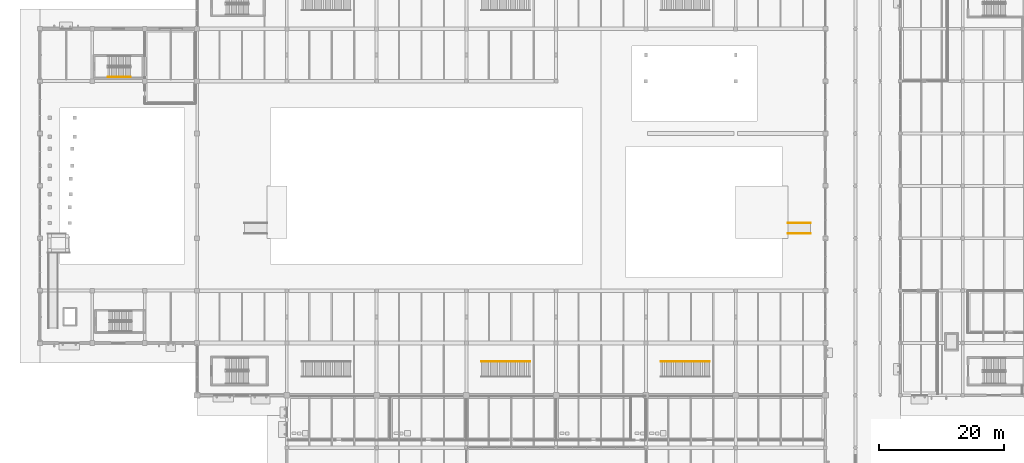
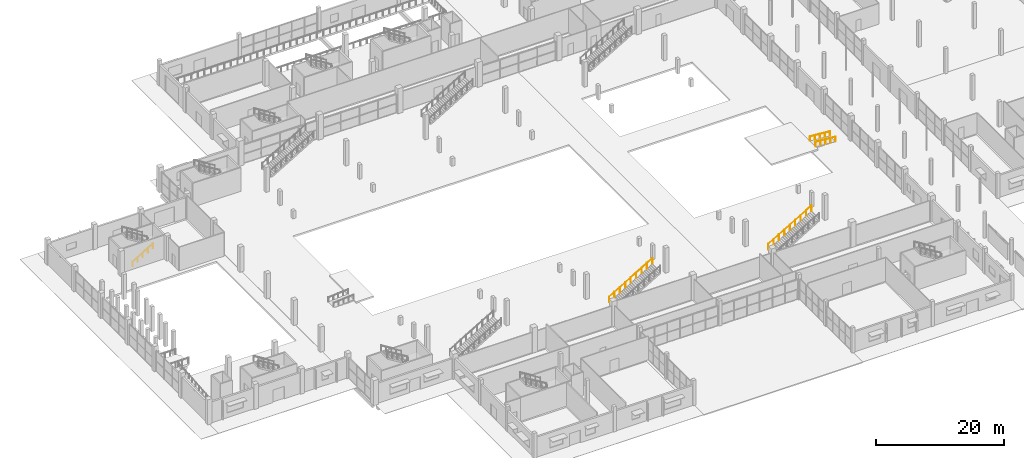
# One storey, part 116 of 130: 5 railings.
"""IFC4 building model written with IfcOpenShell, lengths in metres."""

from ifc_helpers import new_model, si_unit, direction, frame, origin, origin_2d, place, context, subcontext, project, spatial, circle, extrude, material, type_object, element, save


model = new_model("IFC4")

# Units and contexts
model_context = context("Model", 3, precision=1e-05, world=origin(), true_north=direction((0.0, 1.0)))
body_context = subcontext(model_context, "Body", "Model", "MODEL_VIEW")
ifc_project = project(units=[si_unit("LENGTHUNIT", "METRE"), si_unit("AREAUNIT", "SQUARE_METRE"), si_unit("VOLUMEUNIT", "CUBIC_METRE"), si_unit("PLANEANGLEUNIT", "RADIAN"), si_unit("MASSUNIT", "GRAM", prefix="KILO"), si_unit("THERMODYNAMICTEMPERATUREUNIT", "KELVIN")], contexts=[model_context])

# Site, building, storey
site_placement = place(None, origin())
site = spatial("IfcSite", under=ifc_project, at=site_placement, CompositionType="ELEMENT")
building_placement = place(site_placement, origin())
building = spatial("IfcBuilding", under=site, at=building_placement, Name="Nduvali Passage Aquatics Centre", CompositionType="ELEMENT")
storey_placement = place(building_placement, origin())
storey = spatial("IfcBuildingStorey", under=building, at=storey_placement, Name="L00", CompositionType="ELEMENT", Elevation=0.0)

# Railings
ifc_material = material(Name="Stainless steel balustrade", Category="steel")
railing_type_1 = type_object("IfcRailingType", Name="INT-RLG-GRD110", PredefinedType="GUARDRAIL", material=ifc_material)
for number, where, name in (
    (1, (70.800048828125, 30.614990234375, 0.17138671875), "Vomitory VST2 Guardrail 2"),
    (2, (99.60009765625, 30.614990234375, 0.17138671875), "Vomitory VST3 Guardrail 2"),
):
    element("IfcRailing", number, at=place(storey_placement, frame(where)), inside=storey, type_object=railing_type_1, Name=name, PredefinedType="GUARDRAIL", context=body_context, shape_type="SweptSolid", body=[
        extrude(circle(Radius=0.02392578125, at=origin_2d()), frame((0.0, 0.0, 1.076171875), z_axis=(0.860833000102, 0.0, 0.508887557261), x_axis=(0.0, 1.0, 0.0)), (0.0, 0.0, 1.0), 9.095703125),
        extrude(circle(Radius=0.02099609375, at=origin_2d()), origin(), (0.0, 0.0, 1.0), 1.052001953125),
        extrude(circle(Radius=0.02099609375, at=origin_2d()), frame((0.978759765625, 0.0, 0.57861328125)), (0.0, 0.0, 1.0), 1.052001953125),
        extrude(circle(Radius=0.02099609375, at=origin_2d()), frame((1.95751953125, 0.0, 1.1572265625)), (0.0, 0.0, 1.0), 1.052001953125),
        extrude(circle(Radius=0.02099609375, at=origin_2d()), frame((2.936279296875, 0.0, 1.73583984375)), (0.0, 0.0, 1.0), 1.052001953125),
        extrude(circle(Radius=0.02099609375, at=origin_2d()), frame((3.9150390625, 0.0, 2.314453125)), (0.0, 0.0, 1.0), 1.052001953125),
        extrude(circle(Radius=0.02099609375, at=origin_2d()), frame((4.8935546875, 0.0, 2.892822265625)), (0.0, 0.0, 1.0), 1.052001953125),
        extrude(circle(Radius=0.02099609375, at=origin_2d()), frame((5.872314453125, 0.0, 3.471435546875)), (0.0, 0.0, 1.0), 1.052001953125),
        extrude(circle(Radius=0.02099609375, at=origin_2d()), frame((6.85107421875, 0.0, 4.050048828125)), (0.0, 0.0, 1.0), 1.052001953125),
        extrude(circle(Radius=0.02099609375, at=origin_2d()), frame((7.829833984375, 0.0, 4.628662109375)), (0.0, 0.0, 1.0), 1.052001953125),
    ])
railing_type_2 = type_object("IfcRailingType", Name="INT-RLG-HND90", PredefinedType="HANDRAIL", material=ifc_material)
railing_placement = place(storey_placement, frame((10.89990234375, 76.25, 0.346435546875)))
element("IfcRailing", 3, at=railing_placement, inside=storey, type_object=railing_type_2, Name="L00 ST12 stair handrail 1", PredefinedType="HANDRAIL", context=body_context, shape_type="SweptSolid", body=[
    extrude(circle(Radius=0.02392578125, at=origin_2d()), frame((0.0, 0.0, 0.8759765625), z_axis=(0.852865859571, 0.0, 0.52213008492), x_axis=(0.0, 1.0, 0.0)), (0.0, 0.0, 1.0), 4.26806640625),
    extrude(circle(Radius=0.02099609375, at=origin_2d()), origin(), (0.0, 0.0, 1.0), 0.851806640625),
    extrude(circle(Radius=0.02099609375, at=origin_2d()), frame((0.91015625, 0.0, 0.55712890625)), (0.0, 0.0, 1.0), 0.851806640625),
    extrude(circle(Radius=0.02099609375, at=origin_2d()), frame((1.820068359375, 0.0, 1.1142578125)), (0.0, 0.0, 1.0), 0.851806640625),
    extrude(circle(Radius=0.02099609375, at=origin_2d()), frame((2.72998046875, 0.0, 1.67138671875)), (0.0, 0.0, 1.0), 0.851806640625),
    extrude(circle(Radius=0.02099609375, at=origin_2d()), frame((3.64013671875, 0.0, 2.228515625)), (0.0, 0.0, 1.0), 0.851806640625),
])
for number, where, name in (
    (4, (123.60009765625, 52.85009765625, 0.0), "Training Poolside Coaching Plinth Ramp PR2 Handrail 1"),
    (5, (123.60009765625, 51.14990234375, 0.0), "Training Poolside Coaching Plinth Ramp PR2 Handrail 2"),
):
    element("IfcRailing", number, at=place(storey_placement, frame(where)), inside=storey, type_object=railing_type_2, Name=name, PredefinedType="HANDRAIL", context=body_context, shape_type="SweptSolid", body=[
        extrude(circle(Radius=0.02392578125, at=origin_2d()), frame((0.0, 0.0, 0.89599609375), z_axis=(-0.996544826035, 0.0, 0.083056665618), x_axis=(0.0, -1.0, 0.0)), (0.0, 0.0, 1.0), 3.612548828125),
        extrude(circle(Radius=0.02099609375, at=origin_2d()), origin(), (0.0, 0.0, 1.0), 0.871826171875),
        extrude(circle(Radius=0.02099609375, at=origin_2d()), frame((-0.89990234375, 0.0, 0.074951171875)), (0.0, 0.0, 1.0), 0.871826171875),
        extrude(circle(Radius=0.02099609375, at=origin_2d()), frame((-1.800048828125, 0.0, 0.14990234375)), (0.0, 0.0, 1.0), 0.871826171875),
        extrude(circle(Radius=0.02099609375, at=origin_2d()), frame((-2.7001953125, 0.0, 0.22509765625)), (0.0, 0.0, 1.0), 0.871826171875),
        extrude(circle(Radius=0.02099609375, at=origin_2d()), frame((-3.60009765625, 0.0, 0.300048828125)), (0.0, 0.0, 1.0), 0.871826171875),
    ])

save(model, "model.ifc")
